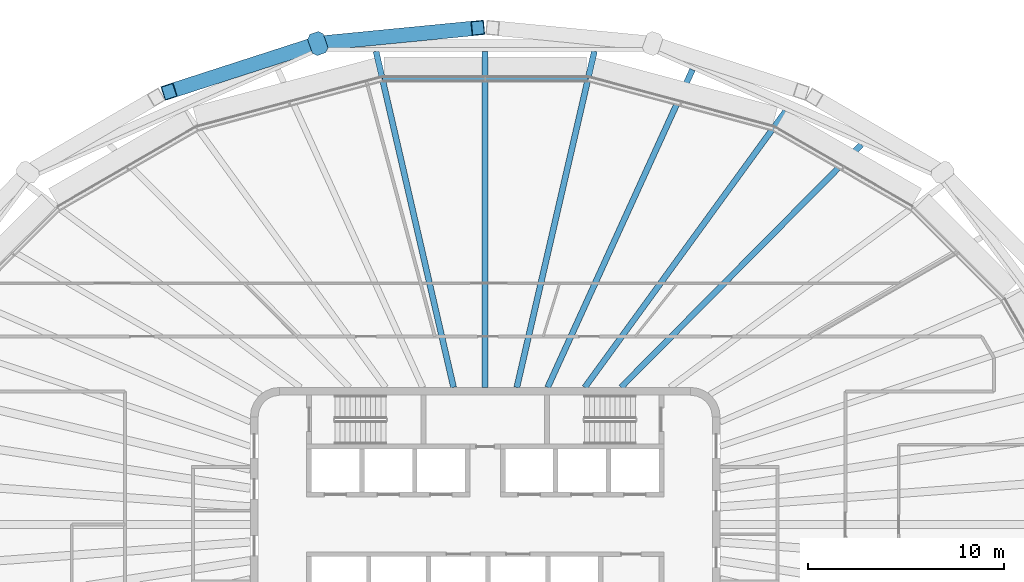
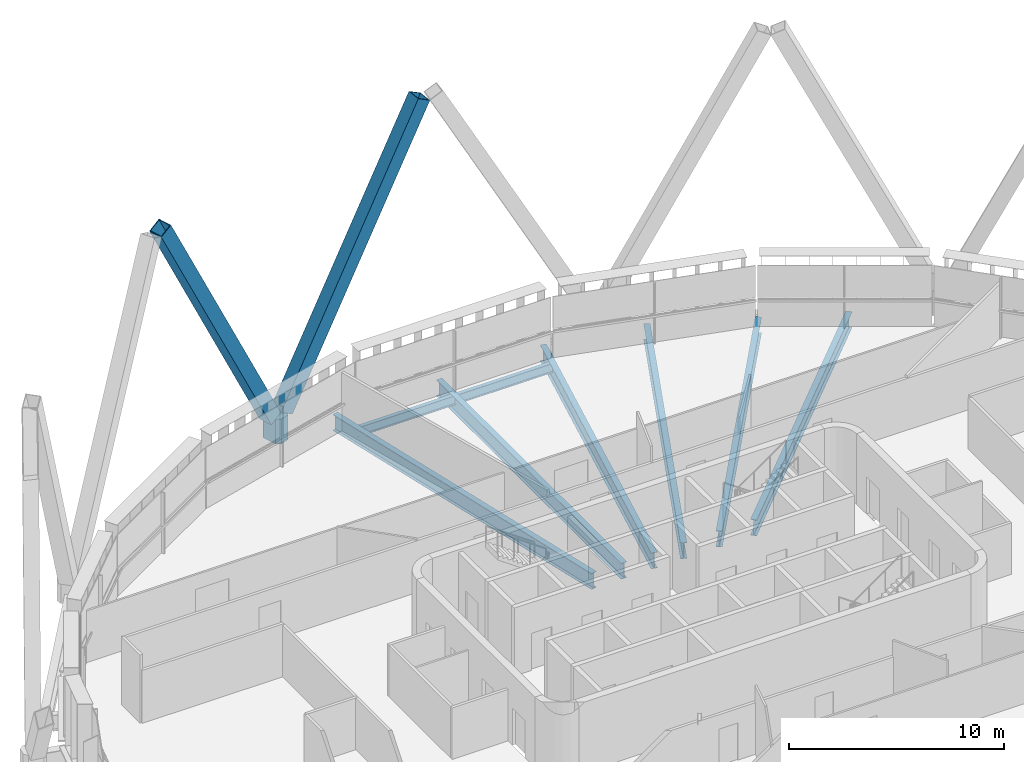
# One storey, part 8 of 22: 7 beams, 3 members.
"""IFC4 building model written with IfcOpenShell, lengths in metres."""

from ifc_helpers import new_model, si_unit, direction, frame, origin, origin_2d, place, context, subcontext, project, spatial, polyline, hollow_rectangle, i_section, outline, extrude, material, material_profile, profile_set, type_object, element, save


model = new_model("IFC4")

# Units and contexts
model_context = context("Model", 3, precision=1e-05, world=origin(), true_north=direction((0.0, 1.0)))
body_context = subcontext(model_context, "Body", "Model", "MODEL_VIEW")
ifc_project = project(units=[si_unit("LENGTHUNIT", "METRE"), si_unit("AREAUNIT", "SQUARE_METRE"), si_unit("VOLUMEUNIT", "CUBIC_METRE"), si_unit("PLANEANGLEUNIT", "RADIAN"), si_unit("MASSUNIT", "GRAM", prefix="KILO")], contexts=[model_context])

# Site, building, storey
site_placement = place(None, origin())
site = spatial("IfcSite", under=ifc_project, at=site_placement, CompositionType="ELEMENT")
building_placement = place(site_placement, origin())
building = spatial("IfcBuilding", under=site, at=building_placement, Name="Sahrelin Media Tower", CompositionType="ELEMENT")
storey_placement = place(building_placement, frame((0.0, 0.0, 233.60009765625)))
storey = spatial("IfcBuildingStorey", under=building, at=storey_placement, Name="L50", CompositionType="ELEMENT", Elevation=233.60009765625)

# Members
ifc_material_1 = material(Name="Steel S460", Category="steel")
ifc_material_profile_1 = material_profile(ifc_material_1, hollow_rectangle(XDim=0.75, YDim=0.75, WallThickness=0.0400390625, at=origin_2d()), Name="Diagrid diagonal DG6")
ifc_profile_set_1 = profile_set([ifc_material_profile_1], Name="Steel S460")
member_type_1 = type_object("IfcMemberType", Name="Diagrid diagonal DG6", PredefinedType="BRACE", material=ifc_profile_set_1)
member_1_placement = place(storey_placement, frame((-8.17822265625, 24.603759765625, 0.699951171875), z_axis=(0.4709090869, 0.045846052821, 0.880989654488), x_axis=(-0.096898351579, 0.995294282844, 0.0)))
element("IfcMember", 1, at=member_1_placement, inside=storey, type_object=member_type_1, Name="Diagrid diagonal D11-06", PredefinedType="BRACE", context=body_context, shape_type="SweptSolid", body=[
    extrude(hollow_rectangle(XDim=0.75, YDim=0.75, WallThickness=0.0400390625, at=origin_2d()), origin(), (0.0, 0.0, 1.0), 16.572021484375),
])
member_2_placement = place(storey_placement, frame((-8.900146484375, 24.454833984375, 0.699951171875), z_axis=(-0.440336452055, -0.142395958877, 0.886468950323), x_axis=(0.307691505717, -0.951486172947, 0.0)))
element("IfcMember", 2, at=member_2_placement, inside=storey, type_object=member_type_1, Name="Diagrid diagonal D11-07", PredefinedType="BRACE", context=body_context, shape_type="SweptSolid", body=[
    extrude(hollow_rectangle(XDim=0.75, YDim=0.75, WallThickness=0.0400390625, at=origin_2d()), origin(), (0.0, 0.0, 1.0), 16.4697265625),
])
ifc_material_profile_2 = material_profile(ifc_material_1, outline(polyline([(0.375, -0.425048828125), (0.574951171875, -0.22509765625), (0.574951171875, 0.22509765625), (0.375, 0.425048828125), (-0.375, 0.425048828125), (-0.574951171875, 0.22509765625), (-0.574951171875, -0.22509765625), (-0.375, -0.425048828125), (0.375, -0.425048828125)])), Name="Diagrid node block 1150")
ifc_profile_set_2 = profile_set([ifc_material_profile_2], Name="Steel S460")
member_type_2 = type_object("IfcMemberType", Name="Diagrid node block 1150", PredefinedType="USERDEFINED", material=ifc_profile_set_2)
member_3_placement = place(storey_placement, frame((-8.552490234375, 24.5673828125, -0.7001953125), z_axis=(0.0, 0.0, 1.0), x_axis=(-0.328769398381, 0.944410230085, 0.0)))
element("IfcMember", 3, at=member_3_placement, inside=storey, type_object=member_type_2, Name="Diagrid node N11-03", ObjectType="NODE", PredefinedType="USERDEFINED", context=body_context, shape_type="SweptSolid", body=[
    extrude(outline(polyline([(0.375, -0.425048828125), (0.574951171875, -0.22509765625), (0.574951171875, 0.22509765625), (0.375, 0.425048828125), (-0.375, 0.425048828125), (-0.574951171875, 0.22509765625), (-0.574951171875, -0.22509765625), (-0.375, -0.425048828125), (0.375, -0.425048828125)])), origin(), (0.0, 0.0, 1.0), 1.400146484375),
])

# Beams
ifc_material_2 = material(Name="Steel S355", Category="steel")
ifc_material_profile_3 = material_profile(ifc_material_2, i_section(OverallWidth=0.208740234375, OverallDepth=0.5283203125, WebThickness=0.009521484375, FlangeThickness=0.01318359375, FilletRadius=0.0126953125, at=origin_2d()), Name="UB 533x210x82")
ifc_profile_set_3 = profile_set([ifc_material_profile_3], Name="Steel S355")
beam_type_1 = type_object("IfcBeamType", Name="Edge beam EB6", PredefinedType="BEAM", material=ifc_profile_set_3)
beam_1_placement = place(storey_placement, frame((-5.243408203125, 22.71923828125, -0.414306640625), z_axis=(1.0, 0.0, 0.0), x_axis=(0.0, 1.0, 0.0)))
element("IfcBeam", 4, at=beam_1_placement, inside=storey, type_object=beam_type_1, Name="Edge beam L50-19", PredefinedType="BEAM", context=body_context, shape_type="SweptSolid", body=[
    extrude(i_section(OverallWidth=0.208740234375, OverallDepth=0.5283203125, WebThickness=0.009521484375, FlangeThickness=0.01318359375, FilletRadius=0.0126953125, at=origin_2d()), origin(), (0.0, 0.0, 1.0), 10.48681640625),
])
ifc_material_profile_4 = material_profile(ifc_material_2, i_section(OverallWidth=0.30322265625, OverallDepth=0.903076171875, WebThickness=0.01513671875, FlangeThickness=0.020263671875, FilletRadius=0.01904296875, at=origin_2d()), Name="UB 914x305x201")
ifc_profile_set_4 = profile_set([ifc_material_profile_4], Name="Steel S355")
beam_type_2 = type_object("IfcBeamType", Name="Radial primary beam PB11", PredefinedType="BEAM", material=ifc_profile_set_4)
beam_2_placement = place(storey_placement, frame((5.088134765625, 7.0, -0.6015625), z_axis=(0.587974519617, 0.808879449783, 0.0), x_axis=(-0.808879449783, 0.587974519617, 0.0)))
element("IfcBeam", 5, at=beam_2_placement, inside=storey, type_object=beam_type_2, Name="Radial beam L50-05", PredefinedType="BEAM", context=body_context, shape_type="SweptSolid", body=[
    extrude(i_section(OverallWidth=0.30322265625, OverallDepth=0.903076171875, WebThickness=0.01513671875, FlangeThickness=0.020263671875, FilletRadius=0.01904296875, at=origin_2d()), origin(), (0.0, 0.0, 1.0), 17.44970703125),
])
for number, where, z_axis, x_axis, name in (
    (6, (1.615478515625, 7.0, -0.6015625), (0.224854447872, 0.974392363102, 0.0), (-0.974392363102, 0.224854447872, 0.0), "Radial beam L50-06"),
    (7, (-1.615478515625, 7.0, -0.6015625), (-0.224854447872, 0.974392363102, 0.0), (-0.974392363102, -0.224854447872, 0.0), "Radial beam L50-07"),
):
    element("IfcBeam", number, at=place(storey_placement, frame(where, z_axis=z_axis, x_axis=x_axis)), inside=storey, type_object=beam_type_2, Name=name, PredefinedType="BEAM", context=body_context, shape_type="SweptSolid", body=[
        extrude(i_section(OverallWidth=0.30322265625, OverallDepth=0.903076171875, WebThickness=0.01513671875, FlangeThickness=0.020263671875, FilletRadius=0.01904296875, at=origin_2d()), origin(), (0.0, 0.0, 1.0), 17.623046875),
    ])
ifc_material_profile_5 = material_profile(ifc_material_2, i_section(OverallWidth=0.30322265625, OverallDepth=0.903076171875, WebThickness=0.01513671875, FlangeThickness=0.020263671875, FilletRadius=0.01904296875, at=origin_2d()), Name="UB 914x305x201")
ifc_profile_set_5 = profile_set([ifc_material_profile_5], Name="Steel S355")
beam_type_3 = type_object("IfcBeamType", Name="Radial secondary beam SB11", PredefinedType="BEAM", material=ifc_profile_set_5)
beam_3_placement = place(storey_placement, frame((6.93408203125, 7.0, -0.6015625), z_axis=(0.703747860582, 0.7104498214, 0.0), x_axis=(-0.7104498214, 0.703747860582, 0.0)))
element("IfcBeam", 8, at=beam_3_placement, inside=storey, type_object=beam_type_3, Name="Secondary beam L50-04", PredefinedType="BEAM", context=body_context, shape_type="SweptSolid", body=[
    extrude(i_section(OverallWidth=0.30322265625, OverallDepth=0.903076171875, WebThickness=0.01513671875, FlangeThickness=0.020263671875, FilletRadius=0.01904296875, at=origin_2d()), origin(), (0.0, 0.0, 1.0), 17.44921875),
])
beam_4_placement = place(storey_placement, frame((3.190673828125, 7.0, -0.6015625), z_axis=(0.414752517697, 0.909934255353, 0.0), x_axis=(-0.909934255353, 0.414752517697, 0.0)))
element("IfcBeam", 9, at=beam_4_placement, inside=storey, type_object=beam_type_3, Name="Secondary beam L50-05", PredefinedType="BEAM", context=body_context, shape_type="SweptSolid", body=[
    extrude(i_section(OverallWidth=0.30322265625, OverallDepth=0.903076171875, WebThickness=0.01513671875, FlangeThickness=0.020263671875, FilletRadius=0.01904296875, at=origin_2d()), origin(), (0.0, 0.0, 1.0), 17.83642578125),
])
beam_5_placement = place(storey_placement, frame((0.0, 7.0, -0.6015625), z_axis=(0.0, 1.0, 0.0), x_axis=(-1.0, 0.0, 0.0)))
element("IfcBeam", 10, at=beam_5_placement, inside=storey, type_object=beam_type_3, Name="Secondary beam L50-06", PredefinedType="BEAM", context=body_context, shape_type="SweptSolid", body=[
    extrude(i_section(OverallWidth=0.30322265625, OverallDepth=0.903076171875, WebThickness=0.01513671875, FlangeThickness=0.020263671875, FilletRadius=0.01904296875, at=origin_2d()), origin(), (0.0, 0.0, 1.0), 17.171875),
])

save(model, "model.ifc")
